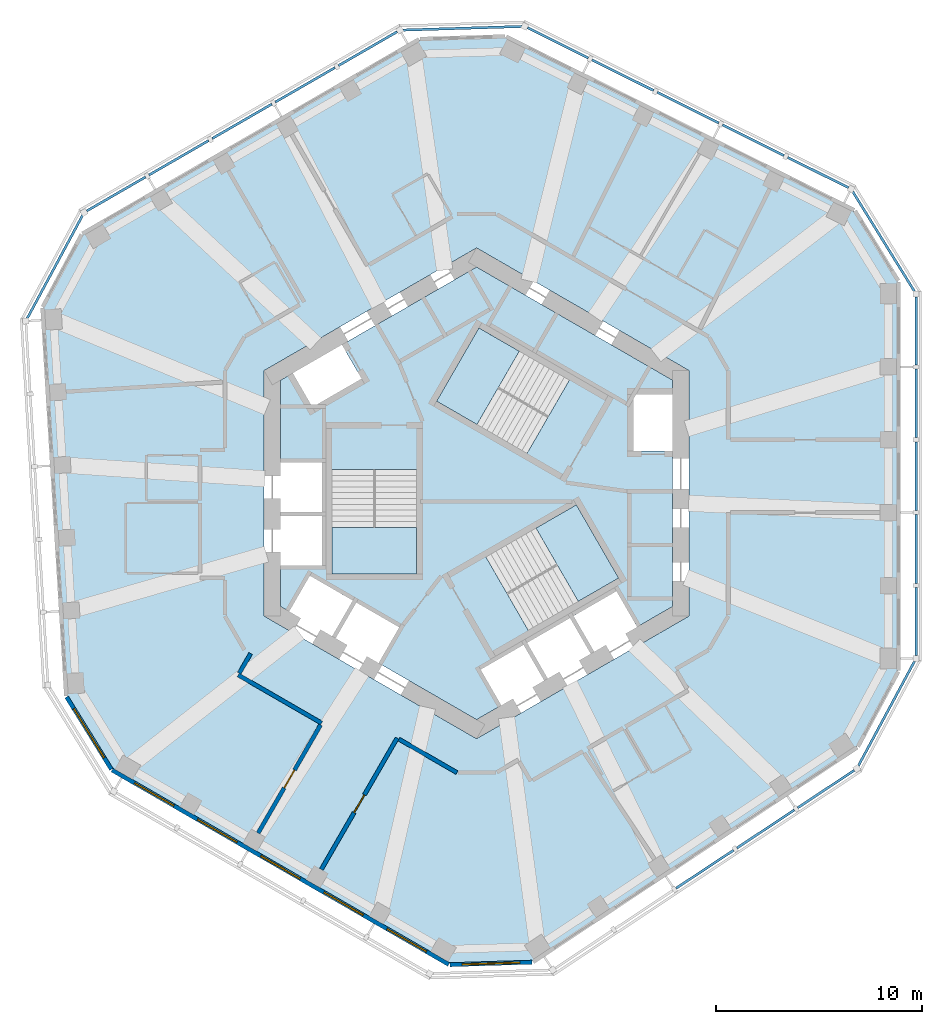
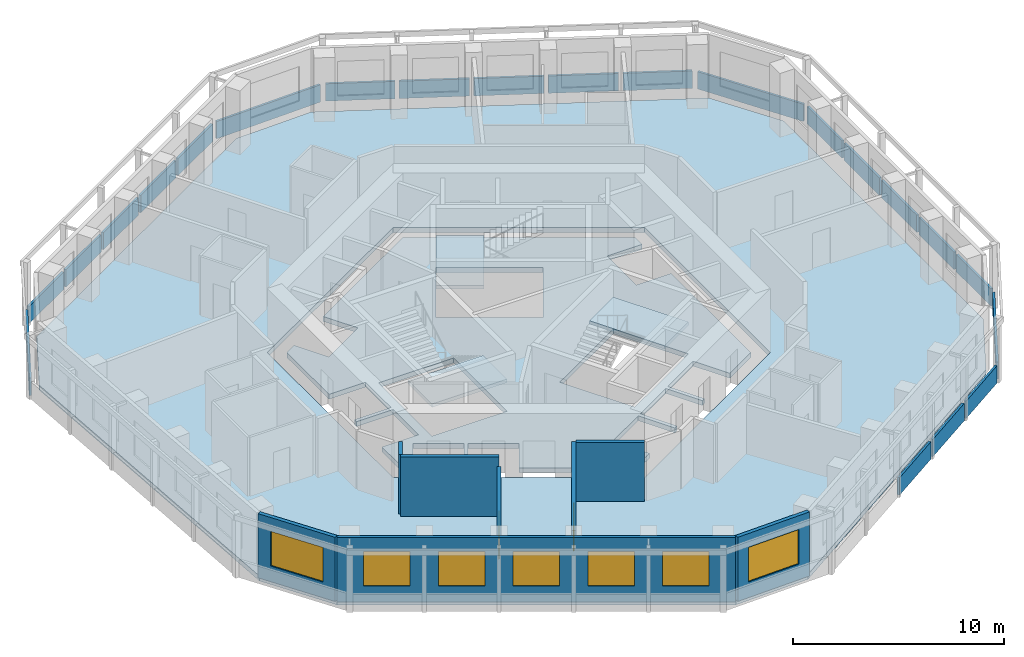
# One storey, part 3 of 11: 22 plates, 8 walls, 7 windows, 5 slabs, 2 doors, 9 openings, 11 elements without a shape of their own.
"""IFC4 building model written with IfcOpenShell, lengths in metres."""

from ifc_helpers import new_model, si_unit, direction, frame, frame_2d, origin, origin_2d, place, context, subcontext, project, spatial, polyline, rectangle, outline, extrude, material, layer, layer_set, type_object, element, fill, aggregate, save


model = new_model("IFC4")

# Units and contexts
model_context = context("Model", 3, precision=1e-05, world=origin(), true_north=direction((0.0, 1.0)))
body_context = subcontext(model_context, "Body", "Model", "MODEL_VIEW")
ifc_project = project(units=[si_unit("LENGTHUNIT", "METRE"), si_unit("AREAUNIT", "SQUARE_METRE"), si_unit("VOLUMEUNIT", "CUBIC_METRE"), si_unit("PLANEANGLEUNIT", "RADIAN"), si_unit("MASSUNIT", "GRAM", prefix="KILO")], contexts=[model_context])

# Site, building, storey
site_placement = place(None, origin())
site = spatial("IfcSite", under=ifc_project, at=site_placement, CompositionType="ELEMENT")
building_placement = place(site_placement, origin())
building = spatial("IfcBuilding", under=site, at=building_placement, Name="Vanh Sen Convention Tower", CompositionType="ELEMENT")
storey_placement = place(building_placement, frame((0.0, 0.0, 247.60009765625)))
storey = spatial("IfcBuildingStorey", under=building, at=storey_placement, Name="L61", CompositionType="ELEMENT", Elevation=247.60009765625)

# Slabs
ifc_material_1 = material(Name="Concrete C40/50", Category="concrete")
ifc_layer_1 = layer(ifc_material_1, 0.280029296875)
ifc_layer_set_1 = layer_set([ifc_layer_1], Name="Concrete C40/50")
slab_type_1 = type_object("IfcSlabType", Name="Core slab 280", PredefinedType="FLOOR", material=ifc_layer_set_1)
slab_1_placement = place(storey_placement, frame((0.0, 0.0, -0.280029296875)))
element("IfcSlab", 1, at=slab_1_placement, inside=storey, type_object=slab_type_1, Name="Core slab L61", PredefinedType="FLOOR", context=body_context, shape_type="SweptSolid", body=[
    extrude(outline(polyline([(0.0, 10.9697265625), (9.5, 5.48486328125), (9.5, 4.800048828125), (7.60009765625, 4.800048828125), (7.60009765625, 2.050048828125), (9.5, 2.050048828125), (9.5, -5.48486328125), (7.781005859375, -6.477294921875), (6.781005859375, -4.7451171875), (4.70263671875, -5.9453125), (5.70263671875, -7.67724609375), (5.529296875, -7.777099609375), (4.529296875, -6.045166015625), (2.450927734375, -7.2451171875), (3.450927734375, -8.977294921875), (3.27783203125, -9.0771484375), (2.27783203125, -7.34521484375), (0.19921875, -8.545166015625), (1.19921875, -10.277099609375), (0.0, -10.9697265625), (-4.75, -8.227294921875), (-3.75, -6.4951171875), (-5.82861328125, -5.295166015625), (-6.82861328125, -7.027099609375), (-7.001708984375, -6.92724609375), (-6.001708984375, -5.1953125), (-8.080078125, -3.9951171875), (-9.080078125, -5.727294921875), (-9.5, -5.48486328125), (-9.5, -3.5), (-7.5, -3.5), (-7.5, -1.10009765625), (-9.5, -1.10009765625), (-9.5, -0.89990234375), (-7.5, -0.89990234375), (-7.5, 1.5), (-9.5, 1.5), (-9.5, 5.48486328125), (-8.906982421875, 5.8271484375), (-7.956787109375, 4.181884765625), (-5.575439453125, 5.556884765625), (-6.525390625, 7.2021484375), (0.0, 10.9697265625)]), holes=[polyline([(-7.0, 1.1494140625), (-7.0, -3.909912109375), (-2.89990234375, -3.909912109375), (-2.89990234375, 1.1494140625), (-7.0, 1.1494140625)]), polyline([(2.504638671875, -6.63671875), (6.88623046875, -4.107177734375), (4.836181640625, -0.556396484375), (0.45458984375, -3.086181640625), (2.504638671875, -6.63671875)]), polyline([(0.11376953125, 8.01708984375), (-1.936279296875, 4.466552734375), (2.4453125, 1.936767578125), (4.495361328125, 5.487548828125), (0.11376953125, 8.01708984375)])]), origin(), (0.0, 0.0, 1.0), 0.280029296875),
])
ifc_layer_2 = layer(ifc_material_1, 0.280029296875)
ifc_layer_set_2 = layer_set([ifc_layer_2], Name="Concrete C40/50")
slab_type_2 = type_object("IfcSlabType", Name="Floor slab 280 REI 120", PredefinedType="FLOOR", material=ifc_layer_set_2)
slab_2_placement = place(storey_placement, frame((0.0, 0.0, -0.280029296875)))
element("IfcSlab", 2, at=slab_2_placement, inside=storey, type_object=slab_type_2, Name="Floor slab L61 tower", PredefinedType="FLOOR", context=body_context, shape_type="SweptSolid", body=[
    extrude(outline(polyline([(20.39990234375, -8.602783203125), (20.39990234375, 10.265380859375), (18.289306640625, 13.67626953125), (1.403564453125, 22.09521484375), (-2.749755859375, 21.96826171875), (-19.090087890625, 12.5341796875), (-20.988525390625, 9.000732421875), (-19.8369140625, -9.83203125), (-17.650146484375, -13.365478515625), (-1.309814453125, -22.799560546875), (2.699462890625, -22.677001953125), (18.433349609375, -12.26318359375), (20.39990234375, -8.602783203125)]), holes=[polyline([(0.0, 11.893310546875), (-10.300048828125, 5.94677734375), (-10.300048828125, -5.94677734375), (0.0, -11.893310546875), (10.300048828125, -5.94677734375), (10.300048828125, 5.94677734375), (0.0, 11.893310546875)])]), origin(), (0.0, 0.0, 1.0), 0.280029296875),
])

# Curtain wall, plates
ifc_material_2 = material(Name="Concrete C50/60", Category="concrete")
curtain_wall_type = type_object("IfcCurtainWallType", Name="Outer skin office zone", PredefinedType="NOTDEFINED", material=ifc_material_2)
curtain_wall_1_placement = place(storey_placement, origin())
curtain_wall_1 = element("IfcCurtainWall", 3, at=curtain_wall_1_placement, inside=storey, type_object=curtain_wall_type, Name="OUTER SKIN E L61", PredefinedType="NOTDEFINED")
ifc_layer_3 = layer(ifc_material_2, 0.1201171875)
ifc_layer_set_3 = layer_set([ifc_layer_3], Name="Concrete C50/60")
plate_type = type_object("IfcPlateType", Name="Outer skin precast screen panel 120", PredefinedType="CURTAIN_PANEL", material=ifc_layer_set_3)
plate_1_placement = place(storey_placement, frame((21.300048828125, -6.2109375, 0.0), z_axis=(0.0, 0.0, 1.0), x_axis=(0.0, 1.0, 0.0)))
plate_1 = element("IfcPlate", 4, at=plate_1_placement, type_object=plate_type, Name="OUTER SKIN screen panel E-1", PredefinedType="CURTAIN_PANEL", context=body_context, shape_type="SweptSolid", body=[
    extrude(rectangle(XDim=3.28369140625, YDim=0.1201171875, at=origin_2d()), origin(), (0.0, 0.0, 1.0), 1.0),
])
plate_2_placement = place(storey_placement, frame((21.300048828125, -2.702392578125, 0.0), z_axis=(0.0, 0.0, 1.0), x_axis=(0.0, 1.0, 0.0)))
plate_2 = element("IfcPlate", 5, at=plate_2_placement, type_object=plate_type, Name="OUTER SKIN screen panel E-2", PredefinedType="CURTAIN_PANEL", context=body_context, shape_type="SweptSolid", body=[
    extrude(rectangle(XDim=3.333740234375, YDim=0.1201171875, at=origin_2d()), origin(), (0.0, 0.0, 1.0), 1.0),
])
plate_3_placement = place(storey_placement, frame((21.300048828125, 0.831298828125, 0.0), z_axis=(0.0, 0.0, 1.0), x_axis=(0.0, 1.0, 0.0)))
plate_3 = element("IfcPlate", 6, at=plate_3_placement, type_object=plate_type, Name="OUTER SKIN screen panel E-3", PredefinedType="CURTAIN_PANEL", context=body_context, shape_type="SweptSolid", body=[
    extrude(rectangle(XDim=3.33349609375, YDim=0.1201171875, at=origin_2d()), origin(), (0.0, 0.0, 1.0), 1.0),
])
plate_4_placement = place(storey_placement, frame((21.300048828125, 4.364990234375, 0.0), z_axis=(0.0, 0.0, 1.0), x_axis=(0.0, 1.0, 0.0)))
plate_4 = element("IfcPlate", 7, at=plate_4_placement, type_object=plate_type, Name="OUTER SKIN screen panel E-4", PredefinedType="CURTAIN_PANEL", context=body_context, shape_type="SweptSolid", body=[
    extrude(rectangle(XDim=3.33349609375, YDim=0.1201171875, at=origin_2d()), origin(), (0.0, 0.0, 1.0), 1.0),
])
plate_5_placement = place(storey_placement, frame((21.300048828125, 7.87353515625, 0.0), z_axis=(0.0, 0.0, 1.0), x_axis=(0.0, 1.0, 0.0)))
plate_5 = element("IfcPlate", 8, at=plate_5_placement, type_object=plate_type, Name="OUTER SKIN screen panel E-5", PredefinedType="CURTAIN_PANEL", context=body_context, shape_type="SweptSolid", body=[
    extrude(rectangle(XDim=3.28369140625, YDim=0.1201171875, at=origin_2d()), origin(), (0.0, 0.0, 1.0), 1.0),
])
aggregate(curtain_wall_1, [plate_1, plate_2, plate_3, plate_4, plate_5])

# Curtain wall, plate
curtain_wall_2_placement = place(storey_placement, origin())
curtain_wall_2 = element("IfcCurtainWall", 9, at=curtain_wall_2_placement, inside=storey, type_object=curtain_wall_type, Name="OUTER SKIN CH1 L61", PredefinedType="NOTDEFINED")
plate_6_placement = place(storey_placement, frame((19.726806640625, 12.20751953125, 0.0), z_axis=(0.0, 0.0, 1.0), x_axis=(-0.526216891938, 0.850350388157, 0.0)))
plate_6 = element("IfcPlate", 10, at=plate_6_placement, type_object=plate_type, Name="OUTER SKIN screen panel CH1-1", PredefinedType="CURTAIN_PANEL", context=body_context, shape_type="SweptSolid", body=[
    extrude(rectangle(XDim=5.6787109375, YDim=0.1201171875, at=origin_2d()), origin(), (0.0, 0.0, 1.0), 1.0),
])
aggregate(curtain_wall_2, [plate_6])

# Curtain wall, plates
curtain_wall_3_placement = place(storey_placement, origin())
curtain_wall_3 = element("IfcCurtainWall", 11, at=curtain_wall_3_placement, inside=storey, type_object=curtain_wall_type, Name="OUTER SKIN NE L61", PredefinedType="NOTDEFINED")
plate_7_placement = place(storey_placement, frame((16.55029296875, 15.549072265625, 0.0), z_axis=(0.0, 0.0, 1.0), x_axis=(-0.894930467757, 0.446205622868, 0.0)))
plate_7 = element("IfcPlate", 12, at=plate_7_placement, type_object=plate_type, Name="OUTER SKIN screen panel NE-1", PredefinedType="CURTAIN_PANEL", context=body_context, shape_type="SweptSolid", body=[
    extrude(rectangle(XDim=3.28369140625, YDim=0.1201171875, at=origin_2d()), origin(), (0.0, 0.0, 1.0), 1.0),
])
plate_8_placement = place(storey_placement, frame((13.410400390625, 17.114501953125, 0.0), z_axis=(0.0, 0.0, 1.0), x_axis=(-0.894935919121, 0.446194689197, 0.0)))
plate_8 = element("IfcPlate", 13, at=plate_8_placement, type_object=plate_type, Name="OUTER SKIN screen panel NE-2", PredefinedType="CURTAIN_PANEL", context=body_context, shape_type="SweptSolid", body=[
    extrude(rectangle(XDim=3.333740234375, YDim=0.1201171875, at=origin_2d()), origin(), (0.0, 0.0, 1.0), 1.0),
])
plate_9_placement = place(storey_placement, frame((10.248046875, 18.691162109375, 0.0), z_axis=(0.0, 0.0, 1.0), x_axis=(-0.894935919121, 0.446194689197, 0.0)))
plate_9 = element("IfcPlate", 14, at=plate_9_placement, type_object=plate_type, Name="OUTER SKIN screen panel NE-3", PredefinedType="CURTAIN_PANEL", context=body_context, shape_type="SweptSolid", body=[
    extrude(rectangle(XDim=3.333740234375, YDim=0.1201171875, at=origin_2d()), origin(), (0.0, 0.0, 1.0), 1.0),
])
plate_10_placement = place(storey_placement, frame((7.085693359375, 20.267822265625, 0.0), z_axis=(0.0, 0.0, 1.0), x_axis=(-0.894935919121, 0.446194689197, 0.0)))
plate_10 = element("IfcPlate", 15, at=plate_10_placement, type_object=plate_type, Name="OUTER SKIN screen panel NE-4", PredefinedType="CURTAIN_PANEL", context=body_context, shape_type="SweptSolid", body=[
    extrude(rectangle(XDim=3.333740234375, YDim=0.1201171875, at=origin_2d()), origin(), (0.0, 0.0, 1.0), 1.0),
])
plate_11_placement = place(storey_placement, frame((3.945556640625, 21.83349609375, 0.0), z_axis=(0.0, 0.0, 1.0), x_axis=(-0.894930467757, 0.446205622868, 0.0)))
plate_11 = element("IfcPlate", 16, at=plate_11_placement, type_object=plate_type, Name="OUTER SKIN screen panel NE-5", PredefinedType="CURTAIN_PANEL", context=body_context, shape_type="SweptSolid", body=[
    extrude(rectangle(XDim=3.28369140625, YDim=0.1201171875, at=origin_2d()), origin(), (0.0, 0.0, 1.0), 1.0),
])
aggregate(curtain_wall_3, [plate_7, plate_8, plate_9, plate_10, plate_11])

# Curtain wall, plate
curtain_wall_4_placement = place(storey_placement, origin())
curtain_wall_4 = element("IfcCurtainWall", 17, at=curtain_wall_4_placement, inside=storey, type_object=curtain_wall_type, Name="OUTER SKIN CH2 L61", PredefinedType="NOTDEFINED")
plate_12_placement = place(storey_placement, frame((-0.688720703125, 22.540283203125, 0.0), z_axis=(0.0, 0.0, 1.0), x_axis=(-0.999533430924, -0.030543746755, 0.0)))
plate_12 = element("IfcPlate", 18, at=plate_12_placement, type_object=plate_type, Name="OUTER SKIN screen panel CH2-1", PredefinedType="CURTAIN_PANEL", context=body_context, shape_type="SweptSolid", body=[
    extrude(rectangle(XDim=5.764404296875, YDim=0.1201171875, at=origin_2d()), origin(), (0.0, 0.0, 1.0), 1.0),
])
aggregate(curtain_wall_4, [plate_12])

# Curtain wall, plates
curtain_wall_5_placement = place(storey_placement, origin())
curtain_wall_5 = element("IfcCurtainWall", 19, at=curtain_wall_5_placement, inside=storey, type_object=curtain_wall_type, Name="OUTER SKIN NW L61", PredefinedType="NOTDEFINED")
plate_13_placement = place(storey_placement, frame((-5.271240234375, 21.5517578125, 0.0), z_axis=(0.0, 0.0, 1.0), x_axis=(-0.866026276448, -0.4999984885, 0.0)))
plate_13 = element("IfcPlate", 20, at=plate_13_placement, type_object=plate_type, Name="OUTER SKIN screen panel NW-1", PredefinedType="CURTAIN_PANEL", context=body_context, shape_type="SweptSolid", body=[
    extrude(rectangle(XDim=3.28369140625, YDim=0.1201171875, at=origin_2d()), origin(), (0.0, 0.0, 1.0), 1.0),
])
plate_14_placement = place(storey_placement, frame((-8.309814453125, 19.797607421875, 0.0), z_axis=(0.0, 0.0, 1.0), x_axis=(-0.866026276448, -0.4999984885, 0.0)))
plate_14 = element("IfcPlate", 21, at=plate_14_placement, type_object=plate_type, Name="OUTER SKIN screen panel NW-2", PredefinedType="CURTAIN_PANEL", context=body_context, shape_type="SweptSolid", body=[
    extrude(rectangle(XDim=3.33349609375, YDim=0.1201171875, at=origin_2d()), origin(), (0.0, 0.0, 1.0), 1.0),
])
plate_15_placement = place(storey_placement, frame((-11.369873046875, 18.03076171875, 0.0), z_axis=(0.0, 0.0, 1.0), x_axis=(-0.866026276448, -0.4999984885, 0.0)))
plate_15 = element("IfcPlate", 22, at=plate_15_placement, type_object=plate_type, Name="OUTER SKIN screen panel NW-3", PredefinedType="CURTAIN_PANEL", context=body_context, shape_type="SweptSolid", body=[
    extrude(rectangle(XDim=3.33349609375, YDim=0.1201171875, at=origin_2d()), origin(), (0.0, 0.0, 1.0), 1.0),
])
plate_16_placement = place(storey_placement, frame((-14.43017578125, 16.263916015625, 0.0), z_axis=(0.0, 0.0, 1.0), x_axis=(-0.866014058921, -0.500019649364, 0.0)))
plate_16 = element("IfcPlate", 23, at=plate_16_placement, type_object=plate_type, Name="OUTER SKIN screen panel NW-4", PredefinedType="CURTAIN_PANEL", context=body_context, shape_type="SweptSolid", body=[
    extrude(rectangle(XDim=3.333740234375, YDim=0.1201171875, at=origin_2d()), origin(), (0.0, 0.0, 1.0), 1.0),
])
plate_17_placement = place(storey_placement, frame((-17.46875, 14.509521484375, 0.0), z_axis=(0.0, 0.0, 1.0), x_axis=(-0.866033257659, -0.499986396443, 0.0)))
plate_17 = element("IfcPlate", 24, at=plate_17_placement, type_object=plate_type, Name="OUTER SKIN screen panel NW-5", PredefinedType="CURTAIN_PANEL", context=body_context, shape_type="SweptSolid", body=[
    extrude(rectangle(XDim=3.28369140625, YDim=0.1201171875, at=origin_2d()), origin(), (0.0, 0.0, 1.0), 1.0),
])
aggregate(curtain_wall_5, [plate_13, plate_14, plate_15, plate_16, plate_17])

# Curtain wall, plate
curtain_wall_6_placement = place(storey_placement, origin())
curtain_wall_6 = element("IfcCurtainWall", 25, at=curtain_wall_6_placement, inside=storey, type_object=curtain_wall_type, Name="OUTER SKIN CH3 L61", PredefinedType="NOTDEFINED")
plate_18_placement = place(storey_placement, frame((-20.435302734375, 10.980224609375, 0.0), z_axis=(0.0, 0.0, 1.0), x_axis=(-0.473307367584, -0.880897346909, 0.0)))
plate_18 = element("IfcPlate", 26, at=plate_18_placement, type_object=plate_type, Name="OUTER SKIN screen panel CH3-1", PredefinedType="CURTAIN_PANEL", context=body_context, shape_type="SweptSolid", body=[
    extrude(rectangle(XDim=5.6787109375, YDim=0.1201171875, at=origin_2d()), origin(), (0.0, 0.0, 1.0), 1.0),
])
aggregate(curtain_wall_6, [plate_18])

# Curtain wall, plates
curtain_wall_7_placement = place(storey_placement, origin())
curtain_wall_7 = element("IfcCurtainWall", 27, at=curtain_wall_7_placement, inside=storey, type_object=curtain_wall_type, Name="OUTER SKIN SE L61", PredefinedType="NOTDEFINED")
plate_19_placement = place(storey_placement, frame((11.06298828125, -18.220703125, 0.0), z_axis=(0.0, 0.0, 1.0), x_axis=(0.833896418343, 0.551920975752, 0.0)))
plate_19 = element("IfcPlate", 28, at=plate_19_placement, type_object=plate_type, Name="OUTER SKIN screen panel SE-3", PredefinedType="CURTAIN_PANEL", context=body_context, shape_type="SweptSolid", body=[
    extrude(rectangle(XDim=3.333740234375, YDim=0.1201171875, at=origin_2d()), origin(), (0.0, 0.0, 1.0), 1.0),
])
plate_20_placement = place(storey_placement, frame((14.009765625, -16.270263671875, 0.0), z_axis=(0.0, 0.0, 1.0), x_axis=(0.833874262143, 0.551954450055, 0.0)))
plate_20 = element("IfcPlate", 29, at=plate_20_placement, type_object=plate_type, Name="OUTER SKIN screen panel SE-4", PredefinedType="CURTAIN_PANEL", context=body_context, shape_type="SweptSolid", body=[
    extrude(rectangle(XDim=3.33349609375, YDim=0.1201171875, at=origin_2d()), origin(), (0.0, 0.0, 1.0), 1.0),
])
plate_21_placement = place(storey_placement, frame((16.935546875, -14.333740234375, 0.0), z_axis=(0.0, 0.0, 1.0), x_axis=(0.833896418343, 0.551920975752, 0.0)))
plate_21 = element("IfcPlate", 30, at=plate_21_placement, type_object=plate_type, Name="OUTER SKIN screen panel SE-5", PredefinedType="CURTAIN_PANEL", context=body_context, shape_type="SweptSolid", body=[
    extrude(rectangle(XDim=3.28369140625, YDim=0.1201171875, at=origin_2d()), origin(), (0.0, 0.0, 1.0), 1.0),
])
aggregate(curtain_wall_7, [plate_19, plate_20, plate_21])

# Curtain wall, plate
curtain_wall_8_placement = place(storey_placement, origin())
curtain_wall_8 = element("IfcCurtainWall", 31, at=curtain_wall_8_placement, inside=storey, type_object=curtain_wall_type, Name="OUTER SKIN CH6 L61", PredefinedType="NOTDEFINED")
plate_22_placement = place(storey_placement, frame((19.864990234375, -10.673828125, 0.0), z_axis=(0.0, 0.0, 1.0), x_axis=(0.473313517396, 0.880894042579, 0.0)))
plate_22 = element("IfcPlate", 32, at=plate_22_placement, type_object=plate_type, Name="OUTER SKIN screen panel CH6-1", PredefinedType="CURTAIN_PANEL", context=body_context, shape_type="SweptSolid", body=[
    extrude(rectangle(XDim=5.76416015625, YDim=0.1201171875, at=origin_2d()), origin(), (0.0, 0.0, 1.0), 1.0),
])
aggregate(curtain_wall_8, [plate_22])

# Stair, slab
ifc_material_3 = material(Name="Concrete C50/60", Category="concrete")
stair_type_1 = type_object("IfcStairType", Name="Exit stair ST1 22 risers at 168.2", PredefinedType="HALF_TURN_STAIR", material=ifc_material_3)
stair_1_placement = place(storey_placement, origin())
stair_1 = element("IfcStair", 33, at=stair_1_placement, inside=storey, type_object=stair_type_1, Name="Exit stair ST1 L61", PredefinedType="HALF_TURN_STAIR")
ifc_layer_4 = layer(ifc_material_1, 0.199951171875)
ifc_layer_set_4 = layer_set([ifc_layer_4], Name="Concrete C40/50")
slab_type_3 = type_object("IfcSlabType", Name="Stair landing 200", PredefinedType="LANDING", material=ifc_layer_set_4)
slab_3_placement = place(storey_placement, frame((0.0, 0.0, 1.64990234375)))
slab_3 = element("IfcSlab", 34, at=slab_3_placement, type_object=slab_type_3, Name="ST1 landing 1", PredefinedType="LANDING", context=body_context, shape_type="SweptSolid", body=[
    extrude(outline(polyline([(2.07177734375, 6.88671875), (0.11376953125, 8.01708984375), (-1.936279296875, 4.466552734375), (0.021728515625, 3.336181640625), (2.07177734375, 6.88671875)])), origin(), (0.0, 0.0, 1.0), 0.199951171875),
])
aggregate(stair_1, [slab_3])

stair_type_2 = type_object("IfcStairType", Name="Exit stair ST2 22 risers at 168.2", PredefinedType="HALF_TURN_STAIR", material=ifc_material_3)
stair_2_placement = place(storey_placement, origin())
stair_2 = element("IfcStair", 35, at=stair_2_placement, inside=storey, type_object=stair_type_2, Name="Exit stair ST2 L61", PredefinedType="HALF_TURN_STAIR")
slab_4_placement = place(storey_placement, frame((0.0, 0.0, 1.64990234375)))
slab_4 = element("IfcSlab", 36, at=slab_4_placement, type_object=slab_type_3, Name="ST2 landing 1", PredefinedType="LANDING", context=body_context, shape_type="SweptSolid", body=[
    extrude(outline(polyline([(-7.0, -1.6494140625), (-7.0, -3.909912109375), (-2.89990234375, -3.909912109375), (-2.89990234375, -1.6494140625), (-7.0, -1.6494140625)])), origin(), (0.0, 0.0, 1.0), 0.199951171875),
])
aggregate(stair_2, [slab_4])

stair_type_3 = type_object("IfcStairType", Name="Exit stair ST3 22 risers at 168.2", PredefinedType="HALF_TURN_STAIR", material=ifc_material_3)
stair_3_placement = place(storey_placement, origin())
stair_3 = element("IfcStair", 37, at=stair_3_placement, inside=storey, type_object=stair_type_3, Name="Exit stair ST3 L61", PredefinedType="HALF_TURN_STAIR")
slab_5_placement = place(storey_placement, frame((0.0, 0.0, 1.64990234375)))
slab_5 = element("IfcSlab", 38, at=slab_5_placement, type_object=slab_type_3, Name="ST3 landing 1", PredefinedType="LANDING", context=body_context, shape_type="SweptSolid", body=[
    extrude(outline(polyline([(4.92822265625, -5.237548828125), (6.88623046875, -4.107177734375), (4.836181640625, -0.556396484375), (2.87841796875, -1.686767578125), (4.92822265625, -5.237548828125)])), origin(), (0.0, 0.0, 1.0), 0.199951171875),
])
aggregate(stair_3, [slab_5])

# Walls
ifc_material_4 = material(Name="Gypsum board on steel studs with mineral wool", Category="steel")
ifc_layer_5 = layer(ifc_material_4, 0.199951171875)
ifc_layer_set_5 = layer_set([ifc_layer_5], Name="Gypsum board on steel studs with mineral wool")
wall_type_1 = type_object("IfcWallType", Name="Corridor partition wall 200", PredefinedType="PARTITIONING", material=ifc_layer_set_5)
wall_1_placement = place(storey_placement, frame((-11.551025390625, -8.80517578125, 0.0), z_axis=(0.0, 0.0, 1.0), x_axis=(0.866038310922, -0.499977643516, 0.0)))
element("IfcWall", 39, at=wall_1_placement, inside=storey, type_object=wall_type_1, Name="Corridor partition wall 200", PredefinedType="PARTITIONING", context=body_context, shape_type="SweptSolid", body=[
    extrude(rectangle(XDim=4.665283203125, YDim=0.199951171875, at=frame_2d((2.33251953125, 0.0))), origin(), (0.0, 0.0, 1.0), 3.419921875),
])
wall_2_placement = place(storey_placement, frame((-10.95068359375, -7.764892578125, 0.0), z_axis=(0.0, 0.0, 1.0), x_axis=(-0.499978356969, -0.866037899034, 0.0)))
element("IfcWall", 40, at=wall_2_placement, inside=storey, type_object=wall_type_1, Name="Corridor partition wall 200", PredefinedType="PARTITIONING", context=body_context, shape_type="SweptSolid", body=[
    extrude(rectangle(XDim=1.10107421875, YDim=0.199951171875, at=frame_2d((0.550537109375, 0.0))), origin(), (0.0, 0.0, 1.0), 3.419921875),
])

# Wall, opening, door
wall_3_placement = place(storey_placement, frame((-10.585205078125, -16.462890625, 0.0), z_axis=(0.0, 0.0, 1.0), x_axis=(0.499993802756, 0.866028981735, 0.0)))
wall_3 = element("IfcWall", 41, at=wall_3_placement, inside=storey, type_object=wall_type_1, Name="Corridor partition wall 200", PredefinedType="PARTITIONING", context=body_context, shape_type="SweptSolid", body=[
    extrude(rectangle(XDim=6.048828125, YDim=0.199951171875, at=frame_2d((3.0244140625, 0.0))), origin(), (0.0, 0.0, 1.0), 2.869873046875),
])
opening_1_placement = place(wall_3_placement, frame((2.5244140625, 0.0, 0.0)))
opening_1 = element("IfcOpeningElement", 42, at=opening_1_placement, cuts=wall_3, Name="Opening D61110", PredefinedType="OPENING", context=body_context, shape_type="SweptSolid", body=[
    extrude(rectangle(XDim=1.0, YDim=2.10009765625, at=frame_2d((0.5, 1.050048828125))), frame((0.0, 0.10986328125, 0.0), z_axis=(0.0, -1.0, 0.0), x_axis=(1.0, 0.0, 0.0)), (0.0, 0.0, 1.0), 0.219970703125),
])
ifc_material_5 = material(Name="Glazed fire door in steel frame", Category="steel")
door_type = type_object("IfcDoorType", Name="Tenant entrance door 1000", OperationType="SINGLE_SWING_LEFT", PredefinedType="DOOR", material=ifc_material_5)
door_1_placement = place(opening_1_placement, origin())
door_1 = element("IfcDoor", 43, at=door_1_placement, inside=storey, type_object=door_type, Name="Tenant suite entrance door D61110", OperationType="SINGLE_SWING_LEFT", OverallHeight=2.10009765625, OverallWidth=1.0, PredefinedType="DOOR", context=body_context, shape_type="SweptSolid", body=[
    extrude(rectangle(XDim=1.0, YDim=2.10009765625, at=frame_2d((0.5, 1.050048828125))), frame((0.0, 0.02490234375, 0.0), z_axis=(0.0, -1.0, 0.0), x_axis=(1.0, 0.0, 0.0)), (0.0, 0.0, 1.0), 0.050048828125),
])
fill(opening_1, door_1)

wall_4_placement = place(storey_placement, frame((-7.52490234375, -18.229736328125, 0.0), z_axis=(0.0, 0.0, 1.0), x_axis=(0.499983153418, 0.866035129944, 0.0)))
wall_4 = element("IfcWall", 44, at=wall_4_placement, inside=storey, type_object=wall_type_1, Name="Corridor partition wall 200", PredefinedType="PARTITIONING", context=body_context, shape_type="SweptSolid", body=[
    extrude(rectangle(XDim=7.349853515625, YDim=0.199951171875, at=frame_2d((3.6748046875, 0.0))), origin(), (0.0, 0.0, 1.0), 3.419921875),
])
opening_2_placement = place(wall_4_placement, frame((3.175048828125, 0.0, 0.0)))
opening_2 = element("IfcOpeningElement", 45, at=opening_2_placement, cuts=wall_4, Name="Opening D61113", PredefinedType="OPENING", context=body_context, shape_type="SweptSolid", body=[
    extrude(rectangle(XDim=1.0, YDim=2.10009765625, at=frame_2d((0.5, 1.050048828125))), frame((0.0, 0.10986328125, 0.0), z_axis=(0.0, -1.0, 0.0), x_axis=(1.0, 0.0, 0.0)), (0.0, 0.0, 1.0), 0.219970703125),
])
door_2_placement = place(opening_2_placement, origin())
door_2 = element("IfcDoor", 46, at=door_2_placement, inside=storey, type_object=door_type, Name="Tenant suite entrance door D61113", OperationType="SINGLE_SWING_LEFT", OverallHeight=2.10009765625, OverallWidth=1.0, PredefinedType="DOOR", context=body_context, shape_type="SweptSolid", body=[
    extrude(rectangle(XDim=1.0, YDim=2.10009765625, at=frame_2d((0.5, 1.050048828125))), frame((0.0, 0.02490234375, 0.0), z_axis=(0.0, -1.0, 0.0), x_axis=(1.0, 0.0, 0.0)), (0.0, 0.0, 1.0), 0.050048828125),
])
fill(opening_2, door_2)

# Wall
wall_5_placement = place(storey_placement, frame((-3.763427734375, -11.91455078125, 0.0), z_axis=(0.0, 0.0, 1.0), x_axis=(0.866037915695, -0.499978328108, 0.0)))
element("IfcWall", 47, at=wall_5_placement, inside=storey, type_object=wall_type_1, Name="Corridor partition wall 200", PredefinedType="PARTITIONING", context=body_context, shape_type="SweptSolid", body=[
    extrude(rectangle(XDim=3.248779296875, YDim=0.199951171875, at=frame_2d((1.62451171875, 0.0))), origin(), (0.0, 0.0, 1.0), 3.419921875),
])

# Wall, opening, window
ifc_material_6 = material(Name="Insulated lightweight infill wall")
ifc_layer_6 = layer(ifc_material_6, 0.199951171875)
ifc_layer_set_6 = layer_set([ifc_layer_6], Name="Insulated lightweight infill wall")
wall_type_2 = type_object("IfcWallType", Name="External wall 200", PredefinedType="STANDARD", material=ifc_layer_set_6)
wall_6_placement = place(storey_placement, frame((-19.872802734375, -9.869140625, 0.0), z_axis=(0.0, 0.0, 1.0), x_axis=(0.52626914263, -0.850318051975, 0.0)))
wall_6 = element("IfcWall", 48, at=wall_6_placement, inside=storey, type_object=wall_type_2, Name="External wall CH4 L61", PredefinedType="STANDARD", context=body_context, shape_type="SweptSolid", body=[
    extrude(rectangle(XDim=4.130126953125, YDim=0.199951171875, at=frame_2d((2.06494140625, 0.0))), origin(), (0.0, 0.0, 1.0), 3.699951171875),
])
opening_3_placement = place(wall_6_placement, frame((0.6650390625, 0.0, 0.89990234375)))
opening_3 = element("IfcOpeningElement", 49, at=opening_3_placement, cuts=wall_6, Name="Opening WO4-CH41", PredefinedType="OPENING", context=body_context, shape_type="SweptSolid", body=[
    extrude(rectangle(XDim=2.800048828125, YDim=2.0, at=frame_2d((1.39990234375, 1.0))), frame((0.0, 0.10986328125, 0.0), z_axis=(0.0, -1.0, 0.0), x_axis=(1.0, 0.0, 0.0)), (0.0, 0.0, 1.0), 0.219970703125),
])
ifc_material_7 = material(Name="Aluminium frame with clear low-emissivity glass", Category="aluminium")
window_type_1 = type_object("IfcWindowType", Name="Office window 2800 x 2000", PartitioningType="SINGLE_PANEL", PredefinedType="WINDOW", material=ifc_material_7)
window_1_placement = place(opening_3_placement, origin())
window_1 = element("IfcWindow", 50, at=window_1_placement, inside=storey, type_object=window_type_1, Name="Window WO4-CH41", OverallHeight=2.0, OverallWidth=2.800048828125, PartitioningType="SINGLE_PANEL", PredefinedType="WINDOW", context=body_context, shape_type="SweptSolid", body=[
    extrude(rectangle(XDim=2.800048828125, YDim=2.0, at=frame_2d((1.39990234375, 1.0))), frame((0.0, 0.030029296875, 0.0), z_axis=(0.0, -1.0, 0.0), x_axis=(1.0, 0.0, 0.0)), (0.0, 0.0, 1.0), 0.06005859375),
])
fill(opening_3, window_1)

# Wall, openings, windows
wall_7_placement = place(storey_placement, frame((-17.664306640625, -13.4150390625, 0.0), z_axis=(0.0, 0.0, 1.0), x_axis=(0.866026555358, -0.49999800541, 0.0)))
wall_7 = element("IfcWall", 51, at=wall_7_placement, inside=storey, type_object=wall_type_2, Name="External wall SW L61", PredefinedType="STANDARD", context=body_context, shape_type="SweptSolid", body=[
    extrude(rectangle(XDim=18.84130859375, YDim=0.199951171875, at=frame_2d((9.420654296875, 0.0))), origin(), (0.0, 0.0, 1.0), 3.699951171875),
])
opening_4_placement = place(wall_7_placement, frame((1.254150390625, 0.0, 0.89990234375)))
opening_4 = element("IfcOpeningElement", 52, at=opening_4_placement, cuts=wall_7, Name="Opening WO3-SW1", PredefinedType="OPENING", context=body_context, shape_type="SweptSolid", body=[
    extrude(rectangle(XDim=2.199951171875, YDim=2.0, at=frame_2d((1.10009765625, 1.0))), frame((0.0, 0.10986328125, 0.0), z_axis=(0.0, -1.0, 0.0), x_axis=(1.0, 0.0, 0.0)), (0.0, 0.0, 1.0), 0.219970703125),
])
opening_5_placement = place(wall_7_placement, frame((4.787841796875, 0.0, 0.89990234375)))
opening_5 = element("IfcOpeningElement", 53, at=opening_5_placement, cuts=wall_7, Name="Opening WO3-SW2", PredefinedType="OPENING", context=body_context, shape_type="SweptSolid", body=[
    extrude(rectangle(XDim=2.199951171875, YDim=2.0, at=frame_2d((1.10009765625, 1.0))), frame((0.0, 0.10986328125, 0.0), z_axis=(0.0, -1.0, 0.0), x_axis=(1.0, 0.0, 0.0)), (0.0, 0.0, 1.0), 0.219970703125),
])
opening_6_placement = place(wall_7_placement, frame((8.321533203125, 0.0, 0.89990234375)))
opening_6 = element("IfcOpeningElement", 54, at=opening_6_placement, cuts=wall_7, Name="Opening WO3-SW3", PredefinedType="OPENING", context=body_context, shape_type="SweptSolid", body=[
    extrude(rectangle(XDim=2.199951171875, YDim=2.0, at=frame_2d((1.10009765625, 1.0))), frame((0.0, 0.10986328125, 0.0), z_axis=(0.0, -1.0, 0.0), x_axis=(1.0, 0.0, 0.0)), (0.0, 0.0, 1.0), 0.219970703125),
])
opening_7_placement = place(wall_7_placement, frame((11.85498046875, 0.0, 0.89990234375)))
opening_7 = element("IfcOpeningElement", 55, at=opening_7_placement, cuts=wall_7, Name="Opening WO3-SW4", PredefinedType="OPENING", context=body_context, shape_type="SweptSolid", body=[
    extrude(rectangle(XDim=2.199951171875, YDim=2.0, at=frame_2d((1.10009765625, 1.0))), frame((0.0, 0.10986328125, 0.0), z_axis=(0.0, -1.0, 0.0), x_axis=(1.0, 0.0, 0.0)), (0.0, 0.0, 1.0), 0.219970703125),
])
opening_8_placement = place(wall_7_placement, frame((15.388671875, 0.0, 0.89990234375)))
opening_8 = element("IfcOpeningElement", 56, at=opening_8_placement, cuts=wall_7, Name="Opening WO3-SW5", PredefinedType="OPENING", context=body_context, shape_type="SweptSolid", body=[
    extrude(rectangle(XDim=2.199951171875, YDim=2.0, at=frame_2d((1.10009765625, 1.0))), frame((0.0, 0.10986328125, 0.0), z_axis=(0.0, -1.0, 0.0), x_axis=(1.0, 0.0, 0.0)), (0.0, 0.0, 1.0), 0.219970703125),
])
window_type_2 = type_object("IfcWindowType", Name="Office window 2200 x 2000", PartitioningType="SINGLE_PANEL", PredefinedType="WINDOW", material=ifc_material_7)
window_2_placement = place(opening_4_placement, origin())
window_2 = element("IfcWindow", 57, at=window_2_placement, inside=storey, type_object=window_type_2, Name="Window WO3-SW1", OverallHeight=2.0, OverallWidth=2.199951171875, PartitioningType="SINGLE_PANEL", PredefinedType="WINDOW", context=body_context, shape_type="SweptSolid", body=[
    extrude(rectangle(XDim=2.199951171875, YDim=2.0, at=frame_2d((1.10009765625, 1.0))), frame((0.0, 0.030029296875, 0.0), z_axis=(0.0, -1.0, 0.0), x_axis=(1.0, 0.0, 0.0)), (0.0, 0.0, 1.0), 0.06005859375),
])
fill(opening_4, window_2)
window_3_placement = place(opening_5_placement, origin())
window_3 = element("IfcWindow", 58, at=window_3_placement, inside=storey, type_object=window_type_2, Name="Window WO3-SW2", OverallHeight=2.0, OverallWidth=2.199951171875, PartitioningType="SINGLE_PANEL", PredefinedType="WINDOW", context=body_context, shape_type="SweptSolid", body=[
    extrude(rectangle(XDim=2.199951171875, YDim=2.0, at=frame_2d((1.10009765625, 1.0))), frame((0.0, 0.030029296875, 0.0), z_axis=(0.0, -1.0, 0.0), x_axis=(1.0, 0.0, 0.0)), (0.0, 0.0, 1.0), 0.06005859375),
])
fill(opening_5, window_3)
window_4_placement = place(opening_6_placement, origin())
window_4 = element("IfcWindow", 59, at=window_4_placement, inside=storey, type_object=window_type_2, Name="Window WO3-SW3", OverallHeight=2.0, OverallWidth=2.199951171875, PartitioningType="SINGLE_PANEL", PredefinedType="WINDOW", context=body_context, shape_type="SweptSolid", body=[
    extrude(rectangle(XDim=2.199951171875, YDim=2.0, at=frame_2d((1.10009765625, 1.0))), frame((0.0, 0.030029296875, 0.0), z_axis=(0.0, -1.0, 0.0), x_axis=(1.0, 0.0, 0.0)), (0.0, 0.0, 1.0), 0.06005859375),
])
fill(opening_6, window_4)
window_5_placement = place(opening_7_placement, origin())
window_5 = element("IfcWindow", 60, at=window_5_placement, inside=storey, type_object=window_type_2, Name="Window WO3-SW4", OverallHeight=2.0, OverallWidth=2.199951171875, PartitioningType="SINGLE_PANEL", PredefinedType="WINDOW", context=body_context, shape_type="SweptSolid", body=[
    extrude(rectangle(XDim=2.199951171875, YDim=2.0, at=frame_2d((1.10009765625, 1.0))), frame((0.0, 0.030029296875, 0.0), z_axis=(0.0, -1.0, 0.0), x_axis=(1.0, 0.0, 0.0)), (0.0, 0.0, 1.0), 0.06005859375),
])
fill(opening_7, window_5)
window_6_placement = place(opening_8_placement, origin())
window_6 = element("IfcWindow", 61, at=window_6_placement, inside=storey, type_object=window_type_2, Name="Window WO3-SW5", OverallHeight=2.0, OverallWidth=2.199951171875, PartitioningType="SINGLE_PANEL", PredefinedType="WINDOW", context=body_context, shape_type="SweptSolid", body=[
    extrude(rectangle(XDim=2.199951171875, YDim=2.0, at=frame_2d((1.10009765625, 1.0))), frame((0.0, 0.030029296875, 0.0), z_axis=(0.0, -1.0, 0.0), x_axis=(1.0, 0.0, 0.0)), (0.0, 0.0, 1.0), 0.06005859375),
])
fill(opening_8, window_6)

# Wall, opening, window
wall_8_placement = place(storey_placement, frame((-1.294189453125, -22.84912109375, 0.0), z_axis=(0.0, 0.0, 1.0), x_axis=(0.999533952558, 0.030526671678, 0.0)))
wall_8 = element("IfcWall", 62, at=wall_8_placement, inside=storey, type_object=wall_type_2, Name="External wall CH5 L61", PredefinedType="STANDARD", context=body_context, shape_type="SweptSolid", body=[
    extrude(rectangle(XDim=3.98291015625, YDim=0.199951171875, at=frame_2d((1.991455078125, 0.0))), origin(), (0.0, 0.0, 1.0), 3.699951171875),
])
opening_9_placement = place(wall_8_placement, frame((0.59130859375, 0.0, 0.89990234375)))
opening_9 = element("IfcOpeningElement", 63, at=opening_9_placement, cuts=wall_8, Name="Opening WO4-CH51", PredefinedType="OPENING", context=body_context, shape_type="SweptSolid", body=[
    extrude(rectangle(XDim=2.800048828125, YDim=2.0, at=frame_2d((1.39990234375, 1.0))), frame((0.0, 0.10986328125, 0.0), z_axis=(0.0, -1.0, 0.0), x_axis=(1.0, 0.0, 0.0)), (0.0, 0.0, 1.0), 0.219970703125),
])
window_7_placement = place(opening_9_placement, origin())
window_7 = element("IfcWindow", 64, at=window_7_placement, inside=storey, type_object=window_type_1, Name="Window WO4-CH51", OverallHeight=2.0, OverallWidth=2.800048828125, PartitioningType="SINGLE_PANEL", PredefinedType="WINDOW", context=body_context, shape_type="SweptSolid", body=[
    extrude(rectangle(XDim=2.800048828125, YDim=2.0, at=frame_2d((1.39990234375, 1.0))), frame((0.0, 0.030029296875, 0.0), z_axis=(0.0, -1.0, 0.0), x_axis=(1.0, 0.0, 0.0)), (0.0, 0.0, 1.0), 0.06005859375),
])
fill(opening_9, window_7)

save(model, "model.ifc")
